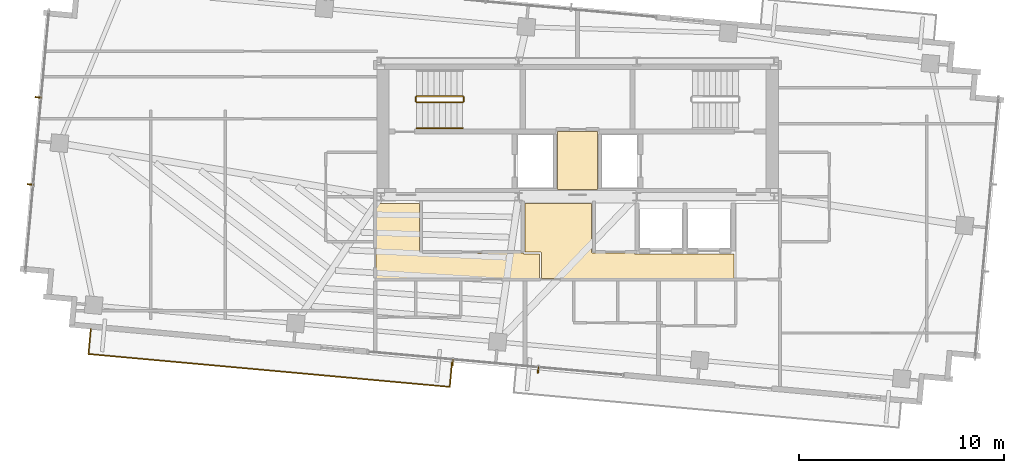
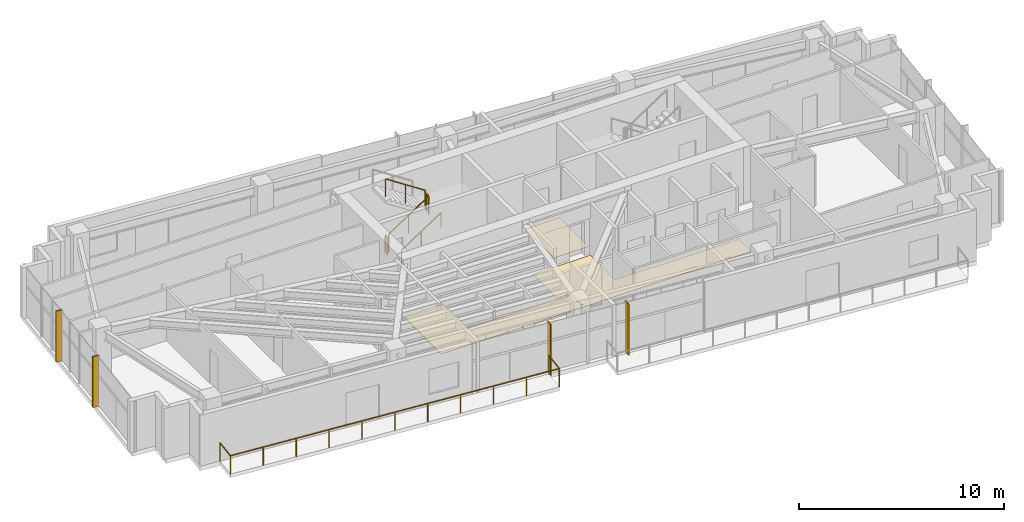
# One storey, part 20 of 22: 6 railings, 4 shading devices, 3 coverings.
"""IFC4 building model written with IfcOpenShell, lengths in metres."""

from ifc_helpers import new_model, si_unit, direction, frame, origin, origin_2d, place, context, subcontext, project, spatial, polyline, rectangle, outline, extrude, source, transform, mapped, material, layer, layer_set, type_object, type_shapes, element, save


model = new_model("IFC4")

# Units and contexts
model_context = context("Model", 3, precision=1e-05, world=origin(), true_north=direction((0.0, 1.0)))
body_context = subcontext(model_context, "Body", "Model", "MODEL_VIEW")
ifc_project = project(units=[si_unit("LENGTHUNIT", "METRE"), si_unit("AREAUNIT", "SQUARE_METRE"), si_unit("VOLUMEUNIT", "CUBIC_METRE"), si_unit("PLANEANGLEUNIT", "RADIAN"), si_unit("MASSUNIT", "GRAM", prefix="KILO")], contexts=[model_context])

# Site, building, storey
site_placement = place(None, origin())
site = spatial("IfcSite", under=ifc_project, at=site_placement, CompositionType="ELEMENT")
building_placement = place(site_placement, origin())
building = spatial("IfcBuilding", under=site, at=building_placement, Name="Astriad Promenade Condominiums", CompositionType="ELEMENT")
storey_placement = place(building_placement, frame((0.0, 0.0, 243.0)))
storey = spatial("IfcBuildingStorey", under=building, at=storey_placement, Name="L70", CompositionType="ELEMENT", Elevation=243.0)

# Coverings
ifc_material_1 = material(Name="Polished Lakefront Terrazzo Flooring")
ifc_layer = layer(ifc_material_1, 0.02001953125)
ifc_layer_set = layer_set([ifc_layer], Name="Polished Lakefront Terrazzo Flooring")
covering_type = type_object("IfcCoveringType", Name="COV-FLOR-TERRAZZO-20", PredefinedType="FLOORING", material=ifc_layer_set)
covering_1_placement = place(storey_placement, origin())
element("IfcCovering", 1, at=covering_1_placement, inside=storey, type_object=covering_type, Name="FLR-L70-CSL", PredefinedType="FLOORING", context=body_context, shape_type="SweptSolid", body=[
    extrude(outline(polyline([(36.97998046875, 17.739990234375), (35.02001953125, 17.739990234375), (35.02001953125, 20.580078125), (36.97998046875, 20.580078125), (36.97998046875, 17.739990234375)])), origin(), (0.0, 0.0, 1.0), 0.02001953125),
])
covering_2_placement = place(storey_placement, origin())
element("IfcCovering", 2, at=covering_2_placement, inside=storey, type_object=covering_type, Name="FLR-L70-LLB", PredefinedType="FLOORING", context=body_context, shape_type="SweptSolid", body=[
    extrude(outline(polyline([(43.639892578125, 14.610107421875), (43.639892578125, 13.39990234375), (34.239990234375, 13.39990234375), (34.239990234375, 14.64990234375), (34.23974609375, 14.65380859375), (34.2392578125, 14.65771484375), (34.23828125, 14.66162109375), (34.237060546875, 14.665283203125), (34.2353515625, 14.6689453125), (34.2333984375, 14.672119140625), (34.23095703125, 14.67529296875), (34.228271484375, 14.67822265625), (34.225341796875, 14.680908203125), (34.22216796875, 14.683349609375), (34.218994140625, 14.685302734375), (34.21533203125, 14.68701171875), (34.211669921875, 14.688232421875), (34.207763671875, 14.689208984375), (34.203857421875, 14.689697265625), (34.199951171875, 14.68994140625), (33.43994140625, 14.68994140625), (33.43994140625, 17.06005859375), (36.679931640625, 17.06005859375), (36.679931640625, 14.699951171875), (36.68017578125, 14.696044921875), (36.680908203125, 14.692138671875), (36.681640625, 14.6884765625), (36.68310546875, 14.684814453125), (36.684814453125, 14.68115234375), (36.686767578125, 14.677734375), (36.689208984375, 14.674560546875), (36.691650390625, 14.671630859375), (36.694580078125, 14.669189453125), (36.69775390625, 14.666748046875), (36.701171875, 14.664794921875), (36.70458984375, 14.6630859375), (36.70849609375, 14.66162109375), (36.712158203125, 14.660888671875), (36.716064453125, 14.66015625), (36.719970703125, 14.659912109375), (38.760009765625, 14.659912109375), (38.760009765625, 14.64990234375), (38.76025390625, 14.64599609375), (38.7607421875, 14.64208984375), (38.76171875, 14.638427734375), (38.762939453125, 14.634765625), (38.7646484375, 14.631103515625), (38.7666015625, 14.627685546875), (38.76904296875, 14.62451171875), (38.771728515625, 14.62158203125), (38.774658203125, 14.619140625), (38.77783203125, 14.61669921875), (38.781005859375, 14.61474609375), (38.78466796875, 14.613037109375), (38.788330078125, 14.61181640625), (38.792236328125, 14.61083984375), (38.796142578125, 14.610107421875), (38.800048828125, 14.610107421875), (43.639892578125, 14.610107421875)])), origin(), (0.0, 0.0, 1.0), 0.02001953125),
])
covering_3_placement = place(storey_placement, origin())
element("IfcCovering", 3, at=covering_3_placement, inside=storey, type_object=covering_type, Name="FLR-L70-COR-2", PredefinedType="FLOORING", context=body_context, shape_type="SweptSolid", body=[
    extrude(outline(polyline([(26.159912109375, 13.39990234375), (26.159912109375, 17.06005859375), (28.280029296875, 17.06005859375), (28.280029296875, 14.699951171875), (28.2802734375, 14.696044921875), (28.28076171875, 14.692138671875), (28.28173828125, 14.6884765625), (28.282958984375, 14.684814453125), (28.28466796875, 14.68115234375), (28.28662109375, 14.677734375), (28.2890625, 14.674560546875), (28.291748046875, 14.671630859375), (28.294677734375, 14.669189453125), (28.2978515625, 14.666748046875), (28.301025390625, 14.664794921875), (28.3046875, 14.6630859375), (28.308349609375, 14.66162109375), (28.312255859375, 14.660888671875), (28.316162109375, 14.66015625), (28.320068359375, 14.659912109375), (33.35009765625, 14.659912109375), (33.35009765625, 14.64892578125), (33.35009765625, 14.64501953125), (33.350830078125, 14.64111328125), (33.35107421875, 14.64013671875), (33.351318359375, 14.639404296875), (33.351318359375, 14.638427734375), (33.352294921875, 14.634521484375), (33.353759765625, 14.630859375), (33.3544921875, 14.629150390625), (33.356201171875, 14.6259765625), (33.356689453125, 14.625), (33.35888671875, 14.62158203125), (33.3603515625, 14.61962890625), (33.36083984375, 14.618896484375), (33.361083984375, 14.61865234375), (33.361328125, 14.618408203125), (33.361572265625, 14.617919921875), (33.36328125, 14.615966796875), (33.365966796875, 14.61328125), (33.367919921875, 14.611572265625), (33.368408203125, 14.611328125), (33.36865234375, 14.611083984375), (33.368896484375, 14.61083984375), (33.36962890625, 14.6103515625), (33.37158203125, 14.60888671875), (33.375, 14.606689453125), (33.3759765625, 14.606201171875), (33.379150390625, 14.6044921875), (33.3798828125, 14.604248046875), (33.380859375, 14.603759765625), (33.384521484375, 14.602294921875), (33.388427734375, 14.601318359375), (33.389404296875, 14.601318359375), (33.39013671875, 14.60107421875), (33.39111328125, 14.600830078125), (33.39501953125, 14.60009765625), (33.39892578125, 14.60009765625), (34.14990234375, 14.60009765625), (34.14990234375, 13.39990234375), (26.159912109375, 13.39990234375)])), origin(), (0.0, 0.0, 1.0), 0.02001953125),
])

# Shading devices
ifc_material_2 = material(Name="Anodised aluminium 6063-T6 Black Fin", Category="aluminium")
shading_device_type = type_object("IfcShadingDeviceType", Name="FIN-BLACK-260", PredefinedType="USERDEFINED", material=ifc_material_2)
shared_shape_1 = source(origin(), body_context, "Body", "SweptSolid", [
    extrude(rectangle(XDim=0.06494140625, YDim=0.320068359375, at=origin_2d()), origin(), (0.0, 0.0, 1.0), 3.0400390625),
])
type_shapes(shading_device_type, [shared_shape_1])
for number, where, z_axis, x_axis, name in (
    (4, (9.293212890625, 17.9970703125, 0.0), (0.0, 0.0, 1.0), (0.090632580198, 0.995884398616, 0.0), "CW-L70-W-FIN-01"),
    (5, (9.6796875, 22.246337890625, 0.0), (0.0, 0.0, 1.0), (0.090632580198, 0.995884398616, 0.0), "CW-L70-W-FIN-02"),
    (6, (34.073974609375, 8.937255859375, 0.0), (0.0, 0.0, 1.0), (-0.995884398616, 0.090632580198, 0.0), "CW-L70-S-FIN-01"),
    (7, (29.9111328125, 9.316162109375, 0.0), (0.0, 0.0, 1.0), (-0.995884398616, 0.090632580198, 0.0), "CW-L70-S-FIN-02"),
):
    element("IfcShadingDevice", number, at=place(storey_placement, frame(where, z_axis=z_axis, x_axis=x_axis)), inside=storey, type_object=shading_device_type, Name=name, ObjectType="FIN", PredefinedType="USERDEFINED", context=body_context, shape_type="MappedRepresentation", body=[
        mapped(shared_shape_1, transform((0.0, 0.0, 0.0), scale=1.0)),
    ])

# Railings
ifc_material_3 = material(Name="Laminated Glass and Stainless Steel Balustrade", Category="steel")
railing_type_1 = type_object("IfcRailingType", Name="GRD-BALC-1120", PredefinedType="BALUSTRADE", material=ifc_material_3)
shared_shape_2 = source(origin(), body_context, "Body", "SweptSolid", [
    extrude(rectangle(XDim=0.048095703125, YDim=0.048095703125, at=origin_2d()), frame((0.0, 0.0, 1.09619140625), z_axis=(-0.090643994769, -0.995883359743, 0.0), x_axis=(0.995883359743, -0.090643994769, 0.0)), (0.0, 0.0, 1.0), 1.22021484375),
    extrude(rectangle(XDim=0.048095703125, YDim=0.048095703125, at=origin_2d()), frame((-0.110595703125, -1.215087890625, 1.09619140625), z_axis=(0.995884952321, -0.0906264958, 0.0), x_axis=(0.0906264958, 0.995884952321, 0.0)), (0.0, 0.0, 1.0), 17.70703125),
    extrude(rectangle(XDim=0.048095703125, YDim=0.048095703125, at=origin_2d()), frame((17.523681640625, -2.81982421875, 1.09619140625), z_axis=(0.090445536319, 0.995901403232, 0.0), x_axis=(-0.995901403232, 0.090445536319, 0.0)), (0.0, 0.0, 1.0), 1.219970703125),
    extrude(rectangle(XDim=0.0419921875, YDim=0.0419921875, at=origin_2d()), origin(), (0.0, 0.0, 1.0), 1.072021484375),
    extrude(rectangle(XDim=0.0419921875, YDim=0.0419921875, at=origin_2d()), frame((-0.110595703125, -1.215087890625, 0.0)), (0.0, 0.0, 1.0), 1.072021484375),
    extrude(rectangle(XDim=0.0419921875, YDim=0.0419921875, at=origin_2d()), frame((1.65283203125, -1.37548828125, 0.0)), (0.0, 0.0, 1.0), 1.072021484375),
    extrude(rectangle(XDim=0.0419921875, YDim=0.0419921875, at=origin_2d()), frame((3.416259765625, -1.5361328125, 0.0)), (0.0, 0.0, 1.0), 1.072021484375),
    extrude(rectangle(XDim=0.0419921875, YDim=0.0419921875, at=origin_2d()), frame((5.1796875, -1.696533203125, 0.0)), (0.0, 0.0, 1.0), 1.072021484375),
    extrude(rectangle(XDim=0.0419921875, YDim=0.0419921875, at=origin_2d()), frame((6.943115234375, -1.85693359375, 0.0)), (0.0, 0.0, 1.0), 1.072021484375),
    extrude(rectangle(XDim=0.0419921875, YDim=0.0419921875, at=origin_2d()), frame((8.70654296875, -2.017578125, 0.0)), (0.0, 0.0, 1.0), 1.072021484375),
    extrude(rectangle(XDim=0.0419921875, YDim=0.0419921875, at=origin_2d()), frame((10.469970703125, -2.177978515625, 0.0)), (0.0, 0.0, 1.0), 1.072021484375),
    extrude(rectangle(XDim=0.0419921875, YDim=0.0419921875, at=origin_2d()), frame((12.2333984375, -2.33837890625, 0.0)), (0.0, 0.0, 1.0), 1.072021484375),
    extrude(rectangle(XDim=0.0419921875, YDim=0.0419921875, at=origin_2d()), frame((13.996826171875, -2.498779296875, 0.0)), (0.0, 0.0, 1.0), 1.072021484375),
    extrude(rectangle(XDim=0.0419921875, YDim=0.0419921875, at=origin_2d()), frame((15.76025390625, -2.659423828125, 0.0)), (0.0, 0.0, 1.0), 1.072021484375),
    extrude(rectangle(XDim=0.0419921875, YDim=0.0419921875, at=origin_2d()), frame((17.523681640625, -2.81982421875, 0.0)), (0.0, 0.0, 1.0), 1.072021484375),
    extrude(rectangle(XDim=0.0419921875, YDim=0.0419921875, at=origin_2d()), frame((17.634033203125, -1.604736328125, 0.0)), (0.0, 0.0, 1.0), 1.072021484375),
])
type_shapes(railing_type_1, [shared_shape_2])
railing_1_placement = place(storey_placement, frame((12.239990234375, 10.934326171875, 0.0)))
element("IfcRailing", 8, at=railing_1_placement, inside=storey, type_object=railing_type_1, Name="GRD-BALC-L70-SW", PredefinedType="BALUSTRADE", context=body_context, shape_type="MappedRepresentation", body=[
    mapped(shared_shape_2, transform((0.0, 0.0, 0.0), scale=1.0)),
])
ifc_material_4 = material(Name="Painted Galvanised Steel Guardrail", Category="steel")
railing_type_2 = type_object("IfcRailingType", Name="GRD-STAIR-1100", PredefinedType="GUARDRAIL", material=ifc_material_4)
shared_shape_3 = source(origin(), body_context, "Body", "SweptSolid", [
    extrude(rectangle(XDim=0.048095703125, YDim=0.048095703125, at=origin_2d()), frame((0.0, 0.0, 1.076171875), z_axis=(0.0, 1.0, 0.0), x_axis=(-1.0, 0.0, 0.0)), (0.0, 0.0, 1.0), 0.199951171875),
    extrude(rectangle(XDim=0.0419921875, YDim=0.0419921875, at=origin_2d()), origin(), (0.0, 0.0, 1.0), 1.052001953125),
    extrude(rectangle(XDim=0.0419921875, YDim=0.0419921875, at=origin_2d()), frame((0.0, 0.199951171875, 0.0)), (0.0, 0.0, 1.0), 1.052001953125),
])
for number, where, name in (
    (9, (30.43994140625, 22.050048828125, 1.64990234375), "L70 ST-1 stair guard 2"),
    (10, (28.10009765625, 22.050048828125, 0.0), "L70 ST-1 stair guard 4"),
):
    element("IfcRailing", number, at=place(storey_placement, frame(where)), inside=storey, type_object=railing_type_2, Name=name, PredefinedType="GUARDRAIL", context=body_context, shape_type="MappedRepresentation", body=[
        mapped(shared_shape_3, transform((0.0, 0.0, 0.0), scale=1.0)),
    ])
shared_shape_4 = source(origin(), body_context, "Body", "SweptSolid", [
    extrude(rectangle(XDim=0.048095703125, YDim=0.048095703125, at=origin_2d()), frame((0.0, 0.0, 1.076171875), z_axis=(0.836636935527, 0.0, 0.547757827979), x_axis=(0.0, 1.0, 0.0)), (0.0, 0.0, 1.0), 2.677490234375),
    extrude(rectangle(XDim=0.0419921875, YDim=0.0419921875, at=origin_2d()), origin(), (0.0, 0.0, 1.0), 1.052001953125),
    extrude(rectangle(XDim=0.0419921875, YDim=0.0419921875, at=origin_2d()), frame((1.1201171875, 0.0, 0.7333984375)), (0.0, 0.0, 1.0), 1.052001953125),
    extrude(rectangle(XDim=0.0419921875, YDim=0.0419921875, at=origin_2d()), frame((2.239990234375, 0.0, 1.466552734375)), (0.0, 0.0, 1.0), 1.052001953125),
])
railing_2_placement = place(storey_placement, frame((28.14990234375, 22.0, 0.183349609375)))
element("IfcRailing", 11, at=railing_2_placement, inside=storey, type_object=railing_type_2, Name="L70 ST-1 stair guard 1", PredefinedType="GUARDRAIL", context=body_context, shape_type="MappedRepresentation", body=[
    mapped(shared_shape_4, transform((0.0, 0.0, 0.0), scale=1.0)),
])
ifc_material_5 = material(Name="Brushed Stainless Steel Handrail", Category="steel")
railing_type_3 = type_object("IfcRailingType", Name="HRL-STAIR-920", PredefinedType="HANDRAIL", material=ifc_material_5)
shared_shape_5 = source(origin(), body_context, "Body", "SweptSolid", [
    extrude(rectangle(XDim=0.048095703125, YDim=0.048095703125, at=origin_2d()), frame((0.0, 0.0, 0.8759765625), z_axis=(0.836636935527, 0.0, 0.547757827979), x_axis=(0.0, 1.0, 0.0)), (0.0, 0.0, 1.0), 2.677490234375),
    extrude(rectangle(XDim=0.0419921875, YDim=0.0419921875, at=origin_2d()), origin(), (0.0, 0.0, 1.0), 0.851806640625),
    extrude(rectangle(XDim=0.0419921875, YDim=0.0419921875, at=origin_2d()), frame((1.1201171875, 0.0, 0.7333984375)), (0.0, 0.0, 1.0), 0.851806640625),
    extrude(rectangle(XDim=0.0419921875, YDim=0.0419921875, at=origin_2d()), frame((2.239990234375, 0.0, 1.466552734375)), (0.0, 0.0, 1.0), 0.851806640625),
])
type_shapes(railing_type_3, [shared_shape_5])
railing_3_placement = place(storey_placement, frame((28.14990234375, 20.75, 0.183349609375)))
element("IfcRailing", 12, at=railing_3_placement, inside=storey, type_object=railing_type_3, Name="L70 ST-1 stair handrail 1", PredefinedType="HANDRAIL", context=body_context, shape_type="MappedRepresentation", body=[
    mapped(shared_shape_5, transform((0.0, 0.0, 0.0), scale=1.0)),
])
shared_shape_6 = source(origin(), body_context, "Body", "SweptSolid", [
    extrude(rectangle(XDim=0.048095703125, YDim=0.048095703125, at=origin_2d()), frame((0.0, 0.0, 1.076171875), z_axis=(-0.836595146698, 0.0, 0.547821650285), x_axis=(0.0, -1.0, 0.0)), (0.0, 0.0, 1.0), 2.677490234375),
    extrude(rectangle(XDim=0.0419921875, YDim=0.0419921875, at=origin_2d()), origin(), (0.0, 0.0, 1.0), 1.052001953125),
    extrude(rectangle(XDim=0.0419921875, YDim=0.0419921875, at=origin_2d()), frame((-1.1201171875, 0.0, 0.7333984375)), (0.0, 0.0, 1.0), 1.052001953125),
    extrude(rectangle(XDim=0.0419921875, YDim=0.0419921875, at=origin_2d()), frame((-2.239990234375, 0.0, 1.466796875)), (0.0, 0.0, 1.0), 1.052001953125),
])
type_shapes(railing_type_2, [shared_shape_3, shared_shape_4, shared_shape_6])
railing_4_placement = place(storey_placement, frame((30.389892578125, 22.300048828125, 1.833251953125)))
element("IfcRailing", 13, at=railing_4_placement, inside=storey, type_object=railing_type_2, Name="L70 ST-1 stair guard 3", PredefinedType="GUARDRAIL", context=body_context, shape_type="MappedRepresentation", body=[
    mapped(shared_shape_6, transform((0.0, 0.0, 0.0), scale=1.0)),
])

save(model, "model.ifc")
